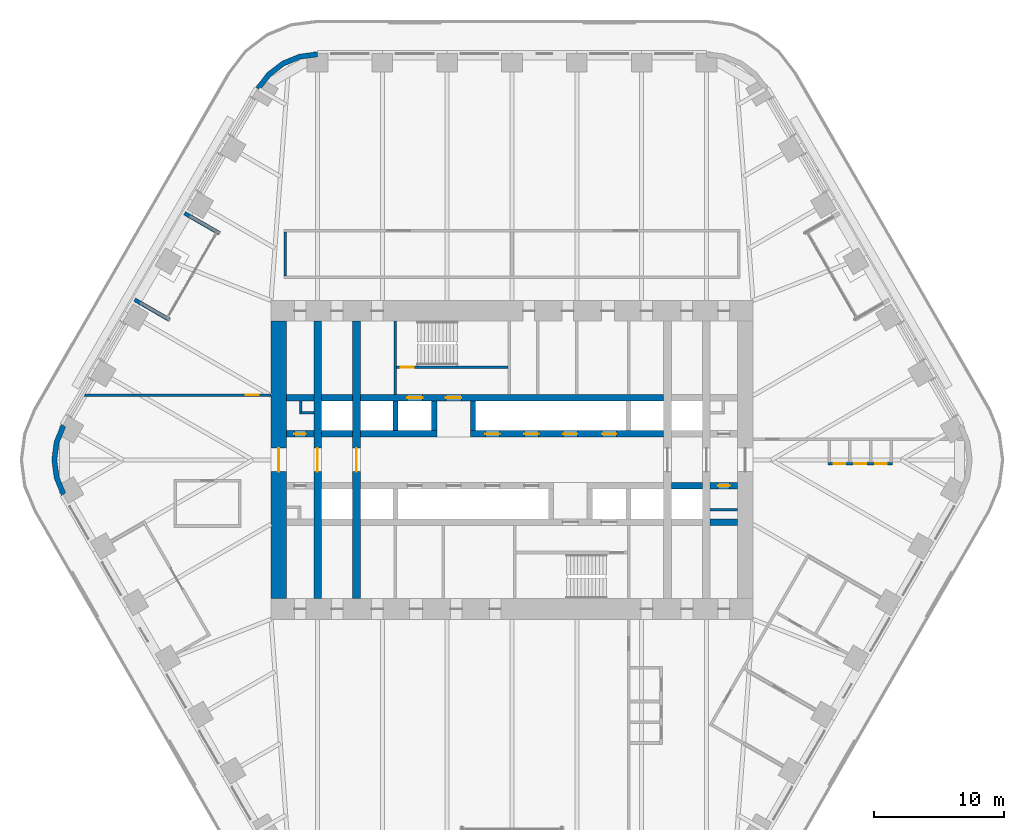
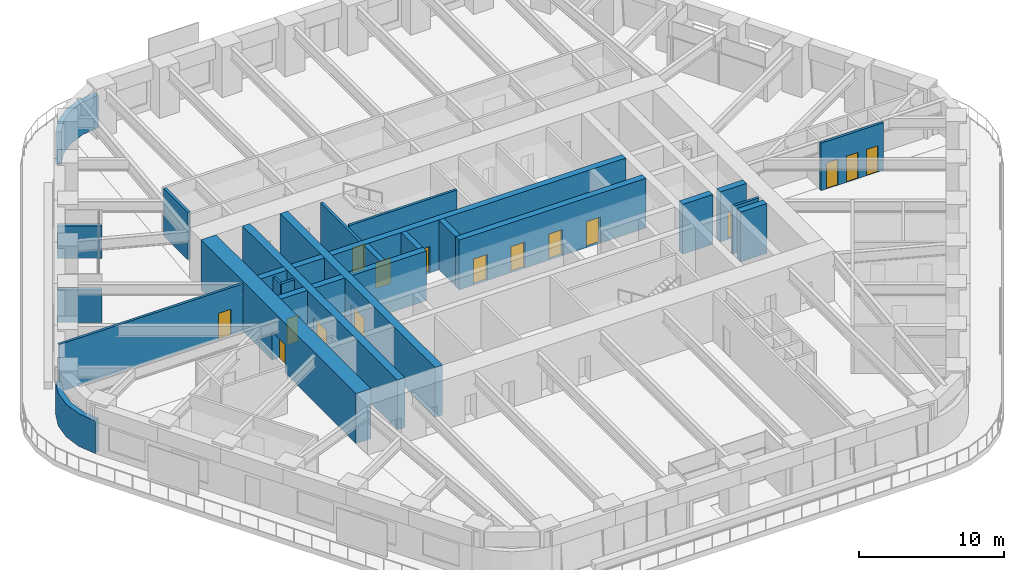
# One storey, part 19 of 24: 28 walls, 16 doors, 16 openings.
"""IFC4 building model written with IfcOpenShell, lengths in metres."""

from ifc_helpers import new_model, si_unit, direction, frame, frame_2d, origin, place, context, subcontext, project, spatial, polyline, rectangle, outline, extrude, material, layer, layer_set, type_object, element, fill, save


model = new_model("IFC4")

# Units and contexts
model_context = context("Model", 3, precision=1e-05, world=origin(), true_north=direction((0.0, 1.0)))
body_context = subcontext(model_context, "Body", "Model", "MODEL_VIEW")
ifc_project = project(units=[si_unit("LENGTHUNIT", "METRE"), si_unit("AREAUNIT", "SQUARE_METRE"), si_unit("VOLUMEUNIT", "CUBIC_METRE"), si_unit("PLANEANGLEUNIT", "RADIAN"), si_unit("MASSUNIT", "GRAM", prefix="KILO")], contexts=[model_context])

# Site, building, storey
site_placement = place(None, origin())
site = spatial("IfcSite", under=ifc_project, at=site_placement, CompositionType="ELEMENT")
building_placement = place(site_placement, origin())
building = spatial("IfcBuilding", under=site, at=building_placement, Name="Tarfa Lantern Tower", CompositionType="ELEMENT")
storey_placement = place(building_placement, frame((0.0, 0.0, 161.5)))
storey = spatial("IfcBuildingStorey", under=building, at=storey_placement, Name="L36", CompositionType="ELEMENT", Elevation=161.5)

# Walls
ifc_material_1 = material(Name="Limestone cladding on blockwork", Category="masonry")
ifc_layer_1 = layer(ifc_material_1, 0.300048828125)
ifc_layer_set_1 = layer_set([ifc_layer_1], Name="EW1 STONE-CLAD WALL 300")
wall_type_1 = type_object("IfcWallType", Name="EW1 STONE-CLAD WALL 300", PredefinedType="SOLIDWALL", material=ifc_layer_set_1)
wall_1_placement = place(storey_placement, frame((-25.266357421875, 19.037353515625, 0.0), z_axis=(0.0, 0.0, 1.0), x_axis=(0.86600983753, -0.500026960575, 0.0)))
element("IfcWall", 1, at=wall_1_placement, inside=storey, type_object=wall_type_1, Name="Loggia return NW 1", PredefinedType="SOLIDWALL", context=body_context, shape_type="SweptSolid", body=[
    extrude(rectangle(XDim=3.099853515625, YDim=0.300048828125, at=frame_2d((1.5498046875, 0.0))), origin(), (0.0, 0.0, 1.0), 2.75),
])
wall_2_placement = place(storey_placement, frame((-29.1201171875, 12.362548828125, 0.0), z_axis=(0.0, 0.0, 1.0), x_axis=(0.86602952684, -0.49999285859, 0.0)))
element("IfcWall", 2, at=wall_2_placement, inside=storey, type_object=wall_type_1, Name="Loggia return NW 2", PredefinedType="SOLIDWALL", context=body_context, shape_type="SweptSolid", body=[
    extrude(rectangle(XDim=3.10009765625, YDim=0.300048828125, at=frame_2d((1.550048828125, 0.0))), origin(), (0.0, 0.0, 1.0), 2.75),
])
ifc_layer_2 = layer(ifc_material_1, 0.39990234375)
ifc_layer_set_2 = layer_set([ifc_layer_2], Name="EW2 CURVED STONE CORNER 400")
wall_type_2 = type_object("IfcWallType", Name="EW2 CURVED STONE CORNER 400", PredefinedType="SOLIDWALL", material=ifc_layer_set_2)
wall_3_placement = place(storey_placement, origin())
element("IfcWall", 3, at=wall_3_placement, inside=storey, type_object=wall_type_2, Name="Stone corner N-NW", PredefinedType="SOLIDWALL", context=body_context, shape_type="SweptSolid", body=[
    extrude(outline(polyline([(-15.010986328125, 31.5), (-16.4345703125, 31.3125), (-17.760986328125, 30.76318359375), (-18.900146484375, 29.88916015625), (-19.774169921875, 28.75), (-19.427734375, 28.550048828125), (-18.617431640625, 29.606201171875), (-17.56103515625, 30.416748046875), (-16.3310546875, 30.92626953125), (-15.010986328125, 31.10009765625), (-15.010986328125, 31.5)])), origin(), (0.0, 0.0, 1.0), 2.75),
])
wall_4_placement = place(storey_placement, origin())
element("IfcWall", 4, at=wall_4_placement, inside=storey, type_object=wall_type_2, Name="Stone corner NW-SW", PredefinedType="SOLIDWALL", context=body_context, shape_type="SweptSolid", body=[
    extrude(outline(polyline([(-34.785400390625, 2.75), (-35.334716796875, 1.423583984375), (-35.522216796875, 0.0), (-35.334716796875, -1.423583984375), (-34.785400390625, -2.75), (-34.43896484375, -2.550048828125), (-34.948486328125, -1.320068359375), (-35.122314453125, 0.0), (-34.948486328125, 1.320068359375), (-34.43896484375, 2.550048828125), (-34.785400390625, 2.75)])), origin(), (0.0, 0.0, 1.0), 2.75),
])
ifc_material_2 = material(Name="Concrete blockwork", Category="masonry")
ifc_layer_3 = layer(ifc_material_2, 0.199951171875)
ifc_layer_set_3 = layer_set([ifc_layer_3], Name="IW1 BLOCKWORK PARTITION 200 EI 120")
wall_type_3 = type_object("IfcWallType", Name="IW1 BLOCKWORK PARTITION 200 EI 120", PredefinedType="PARTITIONING", material=ifc_layer_set_3)
wall_5_placement = place(storey_placement, frame((-9.0, 5.050048828125, 0.0), z_axis=(0.0, 0.0, 1.0), x_axis=(0.0, 1.0, 0.0)))
element("IfcWall", 5, at=wall_5_placement, inside=storey, type_object=wall_type_3, Name="Core partition", PredefinedType="PARTITIONING", context=body_context, shape_type="SweptSolid", body=[
    extrude(rectangle(XDim=5.64990234375, YDim=0.199951171875, at=frame_2d((2.824951171875, 0.0))), origin(), (0.0, 0.0, 1.0), 4.0),
])
for number, where, z_axis, x_axis, name in (
    (6, (-16.300048828125, 3.64990234375, 0.0), (0.0, 0.0, 1.0), (1.0, 0.0, 0.0), "Core partition"),
    (7, (-16.300048828125, 3.550048828125, 0.0), (0.0, 0.0, 1.0), (0.0, 1.0, 0.0), "Core partition"),
):
    element("IfcWall", number, at=place(storey_placement, frame(where, z_axis=z_axis, x_axis=x_axis)), inside=storey, type_object=wall_type_3, Name=name, PredefinedType="PARTITIONING", context=body_context, shape_type="SweptSolid", body=[
        extrude(rectangle(XDim=1.0, YDim=0.199951171875, at=frame_2d((0.5, 0.0))), origin(), (0.0, 0.0, 1.0), 4.0),
    ])
wall_6_placement = place(storey_placement, frame((17.39990234375, -3.85009765625, 0.0), z_axis=(0.0, 0.0, 1.0), x_axis=(-1.0, 0.0, 0.0)))
element("IfcWall", 8, at=wall_6_placement, inside=storey, type_object=wall_type_3, Name="Core partition", PredefinedType="PARTITIONING", context=body_context, shape_type="SweptSolid", body=[
    extrude(rectangle(XDim=2.099853515625, YDim=0.199951171875, at=frame_2d((1.0498046875, 0.0))), origin(), (0.0, 0.0, 1.0), 4.0),
])
ifc_material_3 = material(Name="Gypsum board on steel studs", Category="steel")
ifc_layer_4 = layer(ifc_material_3, 0.2099609375)
ifc_layer_set_4 = layer_set([ifc_layer_4], Name="IW2 ACOUSTIC PARTITION 200")
wall_type_4 = type_object("IfcWallType", Name="IW2 ACOUSTIC PARTITION 200", PredefinedType="PARTITIONING", material=ifc_layer_set_4)
wall_7_placement = place(storey_placement, frame((-17.5, 14.199951171875, 0.0), z_axis=(0.0, 0.0, 1.0), x_axis=(0.0, 1.0, 0.0)))
element("IfcWall", 9, at=wall_7_placement, inside=storey, type_object=wall_type_4, Name="Partition", PredefinedType="PARTITIONING", context=body_context, shape_type="SweptSolid", body=[
    extrude(rectangle(XDim=3.400146484375, YDim=0.199951171875, at=frame_2d((1.7001953125, 0.0))), origin(), (0.0, 0.0, 1.0), 4.0),
])

# Wall, opening, door
wall_8_placement = place(storey_placement, frame((-18.60009765625, 5.0, 0.0), z_axis=(0.0, 0.0, 1.0), x_axis=(-1.0, 0.0, 0.0)))
wall_8 = element("IfcWall", 10, at=wall_8_placement, inside=storey, type_object=wall_type_4, Name="Partition", PredefinedType="PARTITIONING", context=body_context, shape_type="SweptSolid", body=[
    extrude(rectangle(XDim=14.632080078125, YDim=0.199951171875, at=frame_2d((7.31591796875, 0.0))), origin(), (0.0, 0.0, 1.0), 4.0),
])
opening_1_placement = place(wall_8_placement, frame((0.963134765625, 0.0, 0.0)))
opening_1 = element("IfcOpeningElement", 11, at=opening_1_placement, cuts=wall_8, Name="Opening D49", PredefinedType="OPENING", context=body_context, shape_type="SweptSolid", body=[
    extrude(rectangle(XDim=1.0, YDim=2.199951171875, at=frame_2d((0.5, 1.10009765625))), frame((0.0, 0.10986328125, 0.0), z_axis=(0.0, -1.0, 0.0), x_axis=(1.0, 0.0, 0.0)), (0.0, 0.0, 1.0), 0.219970703125),
])
ifc_material_4 = material(Name="Timber door", Category="wood")
door_type_1 = type_object("IfcDoorType", Name="DR1 ROOM DOOR 1000x2200", OperationType="SINGLE_SWING_LEFT", PredefinedType="DOOR", material=ifc_material_4)
door_1_placement = place(opening_1_placement, origin())
door_1 = element("IfcDoor", 12, at=door_1_placement, inside=storey, type_object=door_type_1, Name="Zone door", OperationType="SINGLE_SWING_RIGHT", OverallHeight=2.199951171875, OverallWidth=1.0, PredefinedType="DOOR", context=body_context, shape_type="SweptSolid", body=[
    extrude(rectangle(XDim=1.0, YDim=2.199951171875, at=frame_2d((0.5, 1.10009765625))), frame((0.0, 0.02490234375, 0.0), z_axis=(0.0, -1.0, 0.0), x_axis=(1.0, 0.0, 0.0)), (0.0, 0.0, 1.0), 0.050048828125),
])
fill(opening_1, door_1)

# Wall, openings, doors
wall_9_placement = place(storey_placement, frame((24.3828125, -0.300048828125, 0.0), z_axis=(0.0, 0.0, 1.0), x_axis=(1.0, 0.0, 0.0)))
wall_9 = element("IfcWall", 13, at=wall_9_placement, inside=storey, type_object=wall_type_4, Name="Partition", PredefinedType="PARTITIONING", context=body_context, shape_type="SweptSolid", body=[
    extrude(rectangle(XDim=5.0, YDim=0.199951171875, at=frame_2d((2.5, 0.0))), origin(), (0.0, 0.0, 1.0), 4.0),
])
opening_2_placement = place(wall_9_placement, frame((0.449951171875, 0.0, 0.0)))
opening_2 = element("IfcOpeningElement", 14, at=opening_2_placement, cuts=wall_9, Name="Opening D44", PredefinedType="OPENING", context=body_context, shape_type="SweptSolid", body=[
    extrude(rectangle(XDim=0.89990234375, YDim=2.199951171875, at=frame_2d((0.449951171875, 1.10009765625))), frame((0.0, 0.10986328125, 0.0), z_axis=(0.0, -1.0, 0.0), x_axis=(1.0, 0.0, 0.0)), (0.0, 0.0, 1.0), 0.219970703125),
])
opening_3_placement = place(wall_9_placement, frame((2.050048828125, 0.0, 0.0)))
opening_3 = element("IfcOpeningElement", 15, at=opening_3_placement, cuts=wall_9, Name="Opening D45", PredefinedType="OPENING", context=body_context, shape_type="SweptSolid", body=[
    extrude(rectangle(XDim=0.89990234375, YDim=2.199951171875, at=frame_2d((0.449951171875, 1.10009765625))), frame((0.0, 0.10986328125, 0.0), z_axis=(0.0, -1.0, 0.0), x_axis=(1.0, 0.0, 0.0)), (0.0, 0.0, 1.0), 0.219970703125),
])
opening_4_placement = place(wall_9_placement, frame((3.64990234375, 0.0, 0.0)))
opening_4 = element("IfcOpeningElement", 16, at=opening_4_placement, cuts=wall_9, Name="Opening D46", PredefinedType="OPENING", context=body_context, shape_type="SweptSolid", body=[
    extrude(rectangle(XDim=0.89990234375, YDim=2.199951171875, at=frame_2d((0.449951171875, 1.10009765625))), frame((0.0, 0.10986328125, 0.0), z_axis=(0.0, -1.0, 0.0), x_axis=(1.0, 0.0, 0.0)), (0.0, 0.0, 1.0), 0.219970703125),
])
door_type_2 = type_object("IfcDoorType", Name="DR3 ROOM DOOR 900x2200", OperationType="SINGLE_SWING_LEFT", PredefinedType="DOOR", material=ifc_material_4)
door_2_placement = place(opening_2_placement, origin())
door_2 = element("IfcDoor", 17, at=door_2_placement, inside=storey, type_object=door_type_2, Name="Phone booth door", OperationType="SINGLE_SWING_RIGHT", OverallHeight=2.199951171875, OverallWidth=0.89990234375, PredefinedType="DOOR", context=body_context, shape_type="SweptSolid", body=[
    extrude(rectangle(XDim=0.89990234375, YDim=2.199951171875, at=frame_2d((0.449951171875, 1.10009765625))), frame((0.0, 0.02490234375, 0.0), z_axis=(0.0, -1.0, 0.0), x_axis=(1.0, 0.0, 0.0)), (0.0, 0.0, 1.0), 0.050048828125),
])
fill(opening_2, door_2)
door_3_placement = place(opening_3_placement, origin())
door_3 = element("IfcDoor", 18, at=door_3_placement, inside=storey, type_object=door_type_2, Name="Phone booth door", OperationType="SINGLE_SWING_RIGHT", OverallHeight=2.199951171875, OverallWidth=0.89990234375, PredefinedType="DOOR", context=body_context, shape_type="SweptSolid", body=[
    extrude(rectangle(XDim=0.89990234375, YDim=2.199951171875, at=frame_2d((0.449951171875, 1.10009765625))), frame((0.0, 0.02490234375, 0.0), z_axis=(0.0, -1.0, 0.0), x_axis=(1.0, 0.0, 0.0)), (0.0, 0.0, 1.0), 0.050048828125),
])
fill(opening_3, door_3)
door_4_placement = place(opening_4_placement, origin())
door_4 = element("IfcDoor", 19, at=door_4_placement, inside=storey, type_object=door_type_2, Name="Phone booth door", OperationType="SINGLE_SWING_LEFT", OverallHeight=2.199951171875, OverallWidth=0.89990234375, PredefinedType="DOOR", context=body_context, shape_type="SweptSolid", body=[
    extrude(rectangle(XDim=0.89990234375, YDim=2.199951171875, at=frame_2d((0.449951171875, 1.10009765625))), frame((0.0, 0.02490234375, 0.0), z_axis=(0.0, -1.0, 0.0), x_axis=(1.0, 0.0, 0.0)), (0.0, 0.0, 1.0), 0.050048828125),
])
fill(opening_4, door_4)

# Wall, opening, door
ifc_material_5 = material(Name="Concrete C80/95", Category="concrete")
ifc_layer_5 = layer(ifc_material_5, 1.199951171875)
ifc_layer_set_5 = layer_set([ifc_layer_5], Name="SW1 CORE WALL 1200")
wall_type_5 = type_object("IfcWallType", Name="SW1 CORE WALL 1200", PredefinedType="SHEAR", material=ifc_layer_set_5)
wall_10_placement = place(storey_placement, frame((-18.0, 10.699951171875, 0.0), z_axis=(0.0, 0.0, 1.0), x_axis=(0.0, -1.0, 0.0)))
wall_10 = element("IfcWall", 20, at=wall_10_placement, inside=storey, type_object=wall_type_5, Name="Core wall W", PredefinedType="SHEAR", context=body_context, shape_type="SweptSolid", body=[
    extrude(rectangle(XDim=21.39990234375, YDim=1.199951171875, at=frame_2d((10.699951171875, 0.0))), origin(), (0.0, 0.0, 1.0), 4.199951171875),
])
opening_5_placement = place(wall_10_placement, frame((9.800048828125, 0.0, 0.0)))
opening_5 = element("IfcOpeningElement", 21, at=opening_5_placement, cuts=wall_10, Name="Opening D16", PredefinedType="OPENING", context=body_context, shape_type="SweptSolid", body=[
    extrude(rectangle(XDim=1.800048828125, YDim=2.39990234375, at=frame_2d((0.89990234375, 1.199951171875))), frame((0.0, 0.60986328125, 0.0), z_axis=(0.0, -1.0, 0.0), x_axis=(1.0, 0.0, 0.0)), (0.0, 0.0, 1.0), 1.219970703125),
])
ifc_material_6 = material(Name="Steel fire door", Category="steel")
door_type_3 = type_object("IfcDoorType", Name="DL1 LOBBY DOOR 1800x2400", OperationType="DOUBLE_DOOR_SINGLE_SWING", PredefinedType="DOOR", material=ifc_material_6)
door_5_placement = place(opening_5_placement, frame((1.800048828125, 0.0, 0.0), z_axis=(0.0, 0.0, 1.0), x_axis=(-1.0, 0.0, 0.0)))
door_5 = element("IfcDoor", 22, at=door_5_placement, inside=storey, type_object=door_type_3, Name="Lift lobby door", OperationType="DOUBLE_DOOR_SINGLE_SWING", OverallHeight=2.39990234375, OverallWidth=1.800048828125, PredefinedType="DOOR", context=body_context, shape_type="SweptSolid", body=[
    extrude(rectangle(XDim=1.800048828125, YDim=2.39990234375, at=frame_2d((0.89990234375, 1.199951171875))), frame((0.0, 0.02490234375, 0.0), z_axis=(0.0, -1.0, 0.0), x_axis=(1.0, 0.0, 0.0)), (0.0, 0.0, 1.0), 0.050048828125),
])
fill(opening_5, door_5)

ifc_layer_6 = layer(ifc_material_5, 0.199951171875)
ifc_layer_set_6 = layer_set([ifc_layer_6], Name="SW12 CORE WALL 200")
wall_type_6 = type_object("IfcWallType", Name="SW12 CORE WALL 200", PredefinedType="SHEAR", material=ifc_layer_set_6)
wall_11_placement = place(storey_placement, frame((-8.89990234375, 7.14990234375, 0.0), z_axis=(0.0, 0.0, 1.0), x_axis=(1.0, 0.0, 0.0)))
wall_11 = element("IfcWall", 23, at=wall_11_placement, inside=storey, type_object=wall_type_6, Name="Core wall stair partition N", PredefinedType="SHEAR", context=body_context, shape_type="SweptSolid", body=[
    extrude(rectangle(XDim=8.599853515625, YDim=0.199951171875, at=frame_2d((4.2998046875, 0.0))), origin(), (0.0, 0.0, 1.0), 4.199951171875),
])
opening_6_placement = place(wall_11_placement, frame((0.300048828125, 0.0, 0.0)))
opening_6 = element("IfcOpeningElement", 24, at=opening_6_placement, cuts=wall_11, Name="Opening D27", PredefinedType="OPENING", context=body_context, shape_type="SweptSolid", body=[
    extrude(rectangle(XDim=1.0, YDim=2.199951171875, at=frame_2d((0.5, 1.10009765625))), frame((0.0, 0.10986328125, 0.0), z_axis=(0.0, -1.0, 0.0), x_axis=(1.0, 0.0, 0.0)), (0.0, 0.0, 1.0), 0.219970703125),
])
door_type_4 = type_object("IfcDoorType", Name="DF2 STAIR DOOR 1000x2200", OperationType="SINGLE_SWING_LEFT", PredefinedType="DOOR", material=ifc_material_6)
door_6_placement = place(opening_6_placement, origin())
door_6 = element("IfcDoor", 25, at=door_6_placement, inside=storey, type_object=door_type_4, Name="Stair door", OperationType="SINGLE_SWING_RIGHT", OverallHeight=2.199951171875, OverallWidth=1.0, PredefinedType="DOOR", context=body_context, shape_type="SweptSolid", body=[
    extrude(rectangle(XDim=1.0, YDim=2.199951171875, at=frame_2d((0.5, 1.10009765625))), frame((0.0, 0.02490234375, 0.0), z_axis=(0.0, -1.0, 0.0), x_axis=(1.0, 0.0, 0.0)), (0.0, 0.0, 1.0), 0.050048828125),
])
fill(opening_6, door_6)

ifc_layer_7 = layer(ifc_material_5, 0.5)
ifc_layer_set_7 = layer_set([ifc_layer_7], Name="SW5 CORE WALL 500")
wall_type_7 = type_object("IfcWallType", Name="SW5 CORE WALL 500", PredefinedType="SHEAR", material=ifc_layer_set_7)
wall_12_placement = place(storey_placement, frame((-17.39990234375, 2.0, 0.0), z_axis=(0.0, 0.0, 1.0), x_axis=(1.0, 0.0, 0.0)))
wall_12 = element("IfcWall", 26, at=wall_12_placement, inside=storey, type_object=wall_type_7, Name="Core wall lobby west N", PredefinedType="SHEAR", context=body_context, shape_type="SweptSolid", body=[
    extrude(rectangle(XDim=2.099853515625, YDim=0.5, at=frame_2d((1.0498046875, 0.0))), origin(), (0.0, 0.0, 1.0), 4.199951171875),
])
opening_7_placement = place(wall_12_placement, frame((0.60009765625, 0.0, 0.0)))
opening_7 = element("IfcOpeningElement", 27, at=opening_7_placement, cuts=wall_12, Name="Opening D19", PredefinedType="OPENING", context=body_context, shape_type="SweptSolid", body=[
    extrude(rectangle(XDim=0.89990234375, YDim=2.199951171875, at=frame_2d((0.449951171875, 1.10009765625))), frame((0.0, 0.260009765625, 0.0), z_axis=(0.0, -1.0, 0.0), x_axis=(1.0, 0.0, 0.0)), (0.0, 0.0, 1.0), 0.52001953125),
])
door_type_5 = type_object("IfcDoorType", Name="DF6 SERVICE ROOM DOOR 900x2200", OperationType="SINGLE_SWING_LEFT", PredefinedType="DOOR", material=ifc_material_6)
door_7_placement = place(opening_7_placement, origin())
door_7 = element("IfcDoor", 28, at=door_7_placement, inside=storey, type_object=door_type_5, Name="Service room door", OperationType="SINGLE_SWING_LEFT", OverallHeight=2.199951171875, OverallWidth=0.89990234375, PredefinedType="DOOR", context=body_context, shape_type="SweptSolid", body=[
    extrude(rectangle(XDim=0.89990234375, YDim=2.199951171875, at=frame_2d((0.449951171875, 1.10009765625))), frame((0.0, 0.02490234375, 0.0), z_axis=(0.0, -1.0, 0.0), x_axis=(1.0, 0.0, 0.0)), (0.0, 0.0, 1.0), 0.050048828125),
])
fill(opening_7, door_7)

# Walls
wall_13_placement = place(storey_placement, frame((-14.699951171875, 2.0, 0.0), z_axis=(0.0, 0.0, 1.0), x_axis=(1.0, 0.0, 0.0)))
element("IfcWall", 29, at=wall_13_placement, inside=storey, type_object=wall_type_7, Name="Core wall lobby west N", PredefinedType="SHEAR", context=body_context, shape_type="SweptSolid", body=[
    extrude(rectangle(XDim=2.39990234375, YDim=0.5, at=frame_2d((1.199951171875, 0.0))), origin(), (0.0, 0.0, 1.0), 4.199951171875),
])
wall_14_placement = place(storey_placement, frame((-11.699951171875, 2.0, 0.0), z_axis=(0.0, 0.0, 1.0), x_axis=(1.0, 0.0, 0.0)))
element("IfcWall", 30, at=wall_14_placement, inside=storey, type_object=wall_type_7, Name="Core wall lobby west N", PredefinedType="SHEAR", context=body_context, shape_type="SweptSolid", body=[
    extrude(rectangle(XDim=5.89990234375, YDim=0.5, at=frame_2d((2.949951171875, 0.0))), origin(), (0.0, 0.0, 1.0), 4.199951171875),
])

# Wall, openings, doors
wall_15_placement = place(storey_placement, frame((-3.199951171875, 2.0, 0.0), z_axis=(0.0, 0.0, 1.0), x_axis=(1.0, 0.0, 0.0)))
wall_15 = element("IfcWall", 31, at=wall_15_placement, inside=storey, type_object=wall_type_7, Name="Core wall lobby east N", PredefinedType="SHEAR", context=body_context, shape_type="SweptSolid", body=[
    extrude(rectangle(XDim=14.89990234375, YDim=0.5, at=frame_2d((7.449951171875, 0.0))), origin(), (0.0, 0.0, 1.0), 4.199951171875),
])
opening_8_placement = place(wall_15_placement, frame((1.14990234375, 0.0, 0.0)))
opening_8 = element("IfcOpeningElement", 32, at=opening_8_placement, cuts=wall_15, Name="Opening LD03", PredefinedType="OPENING", context=body_context, shape_type="SweptSolid", body=[
    extrude(rectangle(XDim=1.10009765625, YDim=2.199951171875, at=frame_2d((0.550048828125, 1.10009765625))), frame((0.0, 0.260009765625, 0.0), z_axis=(0.0, -1.0, 0.0), x_axis=(1.0, 0.0, 0.0)), (0.0, 0.0, 1.0), 0.52001953125),
])
opening_9_placement = place(wall_15_placement, frame((4.14990234375, 0.0, 0.0)))
opening_9 = element("IfcOpeningElement", 33, at=opening_9_placement, cuts=wall_15, Name="Opening LD04", PredefinedType="OPENING", context=body_context, shape_type="SweptSolid", body=[
    extrude(rectangle(XDim=1.10009765625, YDim=2.199951171875, at=frame_2d((0.550048828125, 1.10009765625))), frame((0.0, 0.260009765625, 0.0), z_axis=(0.0, -1.0, 0.0), x_axis=(1.0, 0.0, 0.0)), (0.0, 0.0, 1.0), 0.52001953125),
])
opening_10_placement = place(wall_15_placement, frame((7.14990234375, 0.0, 0.0)))
opening_10 = element("IfcOpeningElement", 34, at=opening_10_placement, cuts=wall_15, Name="Opening LD05", PredefinedType="OPENING", context=body_context, shape_type="SweptSolid", body=[
    extrude(rectangle(XDim=1.10009765625, YDim=2.199951171875, at=frame_2d((0.550048828125, 1.10009765625))), frame((0.0, 0.260009765625, 0.0), z_axis=(0.0, -1.0, 0.0), x_axis=(1.0, 0.0, 0.0)), (0.0, 0.0, 1.0), 0.52001953125),
])
opening_11_placement = place(wall_15_placement, frame((10.14990234375, 0.0, 0.0)))
opening_11 = element("IfcOpeningElement", 35, at=opening_11_placement, cuts=wall_15, Name="Opening LD06", PredefinedType="OPENING", context=body_context, shape_type="SweptSolid", body=[
    extrude(rectangle(XDim=1.10009765625, YDim=2.199951171875, at=frame_2d((0.550048828125, 1.10009765625))), frame((0.0, 0.260009765625, 0.0), z_axis=(0.0, -1.0, 0.0), x_axis=(1.0, 0.0, 0.0)), (0.0, 0.0, 1.0), 0.52001953125),
])
ifc_material_7 = material(Name="Stainless steel lift door", Category="steel")
door_type_6 = type_object("IfcDoorType", Name="LD2 LIFT LANDING DOOR 1100x2200", OperationType="SLIDING_TO_LEFT", PredefinedType="DOOR", material=ifc_material_7)
door_8_placement = place(opening_8_placement, frame((1.10009765625, 0.0, 0.0), z_axis=(0.0, 0.0, 1.0), x_axis=(-1.0, 0.0, 0.0)))
door_8 = element("IfcDoor", 36, at=door_8_placement, inside=storey, type_object=door_type_6, Name="Landing door PB1", OperationType="SLIDING_TO_LEFT", OverallHeight=2.199951171875, OverallWidth=1.10009765625, PredefinedType="DOOR", context=body_context, shape_type="SweptSolid", body=[
    extrude(rectangle(XDim=1.10009765625, YDim=2.199951171875, at=frame_2d((0.550048828125, 1.10009765625))), frame((0.0, 0.02490234375, 0.0), z_axis=(0.0, -1.0, 0.0), x_axis=(1.0, 0.0, 0.0)), (0.0, 0.0, 1.0), 0.050048828125),
])
fill(opening_8, door_8)
door_9_placement = place(opening_9_placement, frame((1.10009765625, 0.0, 0.0), z_axis=(0.0, 0.0, 1.0), x_axis=(-1.0, 0.0, 0.0)))
door_9 = element("IfcDoor", 37, at=door_9_placement, inside=storey, type_object=door_type_6, Name="Landing door PB2", OperationType="SLIDING_TO_LEFT", OverallHeight=2.199951171875, OverallWidth=1.10009765625, PredefinedType="DOOR", context=body_context, shape_type="SweptSolid", body=[
    extrude(rectangle(XDim=1.10009765625, YDim=2.199951171875, at=frame_2d((0.550048828125, 1.10009765625))), frame((0.0, 0.02490234375, 0.0), z_axis=(0.0, -1.0, 0.0), x_axis=(1.0, 0.0, 0.0)), (0.0, 0.0, 1.0), 0.050048828125),
])
fill(opening_9, door_9)
door_10_placement = place(opening_10_placement, frame((1.10009765625, 0.0, 0.0), z_axis=(0.0, 0.0, 1.0), x_axis=(-1.0, 0.0, 0.0)))
door_10 = element("IfcDoor", 38, at=door_10_placement, inside=storey, type_object=door_type_6, Name="Landing door PB3", OperationType="SLIDING_TO_LEFT", OverallHeight=2.199951171875, OverallWidth=1.10009765625, PredefinedType="DOOR", context=body_context, shape_type="SweptSolid", body=[
    extrude(rectangle(XDim=1.10009765625, YDim=2.199951171875, at=frame_2d((0.550048828125, 1.10009765625))), frame((0.0, 0.02490234375, 0.0), z_axis=(0.0, -1.0, 0.0), x_axis=(1.0, 0.0, 0.0)), (0.0, 0.0, 1.0), 0.050048828125),
])
fill(opening_10, door_10)
door_11_placement = place(opening_11_placement, frame((1.10009765625, 0.0, 0.0), z_axis=(0.0, 0.0, 1.0), x_axis=(-1.0, 0.0, 0.0)))
door_11 = element("IfcDoor", 39, at=door_11_placement, inside=storey, type_object=door_type_6, Name="Landing door PB4", OperationType="SLIDING_TO_LEFT", OverallHeight=2.199951171875, OverallWidth=1.10009765625, PredefinedType="DOOR", context=body_context, shape_type="SweptSolid", body=[
    extrude(rectangle(XDim=1.10009765625, YDim=2.199951171875, at=frame_2d((0.550048828125, 1.10009765625))), frame((0.0, 0.02490234375, 0.0), z_axis=(0.0, -1.0, 0.0), x_axis=(1.0, 0.0, 0.0)), (0.0, 0.0, 1.0), 0.050048828125),
])
fill(opening_11, door_11)

# Walls
wall_16_placement = place(storey_placement, frame((-17.39990234375, 4.800048828125, 0.0), z_axis=(0.0, 0.0, 1.0), x_axis=(1.0, 0.0, 0.0)))
element("IfcWall", 40, at=wall_16_placement, inside=storey, type_object=wall_type_7, Name="Core wall rear N", PredefinedType="SHEAR", context=body_context, shape_type="SweptSolid", body=[
    extrude(rectangle(XDim=2.099853515625, YDim=0.5, at=frame_2d((1.0498046875, 0.0))), origin(), (0.0, 0.0, 1.0), 4.199951171875),
])
wall_17_placement = place(storey_placement, frame((-14.699951171875, 4.800048828125, 0.0), z_axis=(0.0, 0.0, 1.0), x_axis=(1.0, 0.0, 0.0)))
element("IfcWall", 41, at=wall_17_placement, inside=storey, type_object=wall_type_7, Name="Core wall rear N", PredefinedType="SHEAR", context=body_context, shape_type="SweptSolid", body=[
    extrude(rectangle(XDim=2.39990234375, YDim=0.5, at=frame_2d((1.199951171875, 0.0))), origin(), (0.0, 0.0, 1.0), 4.199951171875),
])

# Wall, openings, doors
wall_18_placement = place(storey_placement, frame((-11.699951171875, 4.800048828125, 0.0), z_axis=(0.0, 0.0, 1.0), x_axis=(1.0, 0.0, 0.0)))
wall_18 = element("IfcWall", 42, at=wall_18_placement, inside=storey, type_object=wall_type_7, Name="Core wall rear N", PredefinedType="SHEAR", context=body_context, shape_type="SweptSolid", body=[
    extrude(rectangle(XDim=23.39990234375, YDim=0.5, at=frame_2d((11.699951171875, 0.0))), origin(), (0.0, 0.0, 1.0), 4.199951171875),
])
opening_12_placement = place(wall_18_placement, frame((6.60009765625, 0.0, 0.0)))
opening_12 = element("IfcOpeningElement", 43, at=opening_12_placement, cuts=wall_18, Name="Opening D13", PredefinedType="OPENING", context=body_context, shape_type="SweptSolid", body=[
    extrude(rectangle(XDim=1.199951171875, YDim=2.199951171875, at=frame_2d((0.60009765625, 1.10009765625))), frame((0.0, 0.260009765625, 0.0), z_axis=(0.0, -1.0, 0.0), x_axis=(1.0, 0.0, 0.0)), (0.0, 0.0, 1.0), 0.52001953125),
])
opening_13_placement = place(wall_18_placement, frame((3.60009765625, 0.0, 0.0)))
opening_13 = element("IfcOpeningElement", 44, at=opening_13_placement, cuts=wall_18, Name="Opening LD01", PredefinedType="OPENING", context=body_context, shape_type="SweptSolid", body=[
    extrude(rectangle(XDim=1.199951171875, YDim=2.199951171875, at=frame_2d((0.60009765625, 1.10009765625))), frame((0.0, 0.260009765625, 0.0), z_axis=(0.0, -1.0, 0.0), x_axis=(1.0, 0.0, 0.0)), (0.0, 0.0, 1.0), 0.52001953125),
])
door_type_7 = type_object("IfcDoorType", Name="DF1 FIREFIGHTING LOBBY DOOR 1200x2200", OperationType="SINGLE_SWING_LEFT", PredefinedType="DOOR", material=ifc_material_6)
door_12_placement = place(opening_12_placement, origin())
door_12 = element("IfcDoor", 45, at=door_12_placement, inside=storey, type_object=door_type_7, Name="Firefighting lobby door", OperationType="SINGLE_SWING_LEFT", OverallHeight=2.199951171875, OverallWidth=1.199951171875, PredefinedType="DOOR", context=body_context, shape_type="SweptSolid", body=[
    extrude(rectangle(XDim=1.199951171875, YDim=2.199951171875, at=frame_2d((0.60009765625, 1.10009765625))), frame((0.0, 0.02490234375, 0.0), z_axis=(0.0, -1.0, 0.0), x_axis=(1.0, 0.0, 0.0)), (0.0, 0.0, 1.0), 0.050048828125),
])
fill(opening_12, door_12)
door_type_8 = type_object("IfcDoorType", Name="LD1 LIFT LANDING DOOR 1200x2200", OperationType="SLIDING_TO_LEFT", PredefinedType="DOOR", material=ifc_material_7)
door_13_placement = place(opening_13_placement, origin())
door_13 = element("IfcDoor", 46, at=door_13_placement, inside=storey, type_object=door_type_8, Name="Landing door FL1", OperationType="SLIDING_TO_LEFT", OverallHeight=2.199951171875, OverallWidth=1.199951171875, PredefinedType="DOOR", context=body_context, shape_type="SweptSolid", body=[
    extrude(rectangle(XDim=1.199951171875, YDim=2.199951171875, at=frame_2d((0.60009765625, 1.10009765625))), frame((0.0, 0.02490234375, 0.0), z_axis=(0.0, -1.0, 0.0), x_axis=(1.0, 0.0, 0.0)), (0.0, 0.0, 1.0), 0.050048828125),
])
fill(opening_13, door_13)

# Wall, opening, door
wall_19_placement = place(storey_placement, frame((17.39990234375, -2.0, 0.0), z_axis=(0.0, 0.0, 1.0), x_axis=(-1.0, 0.0, 0.0)))
wall_19 = element("IfcWall", 47, at=wall_19_placement, inside=storey, type_object=wall_type_7, Name="Core wall lobby west S", PredefinedType="SHEAR", context=body_context, shape_type="SweptSolid", body=[
    extrude(rectangle(XDim=2.099853515625, YDim=0.5, at=frame_2d((1.0498046875, 0.0))), origin(), (0.0, 0.0, 1.0), 4.199951171875),
])
opening_14_placement = place(wall_19_placement, frame((0.60009765625, 0.0, 0.0)))
opening_14 = element("IfcOpeningElement", 48, at=opening_14_placement, cuts=wall_19, Name="Opening D20", PredefinedType="OPENING", context=body_context, shape_type="SweptSolid", body=[
    extrude(rectangle(XDim=0.89990234375, YDim=2.199951171875, at=frame_2d((0.449951171875, 1.10009765625))), frame((0.0, 0.260009765625, 0.0), z_axis=(0.0, -1.0, 0.0), x_axis=(1.0, 0.0, 0.0)), (0.0, 0.0, 1.0), 0.52001953125),
])
door_14_placement = place(opening_14_placement, origin())
door_14 = element("IfcDoor", 49, at=door_14_placement, inside=storey, type_object=door_type_5, Name="Service room door", OperationType="SINGLE_SWING_LEFT", OverallHeight=2.199951171875, OverallWidth=0.89990234375, PredefinedType="DOOR", context=body_context, shape_type="SweptSolid", body=[
    extrude(rectangle(XDim=0.89990234375, YDim=2.199951171875, at=frame_2d((0.449951171875, 1.10009765625))), frame((0.0, 0.02490234375, 0.0), z_axis=(0.0, -1.0, 0.0), x_axis=(1.0, 0.0, 0.0)), (0.0, 0.0, 1.0), 0.050048828125),
])
fill(opening_14, door_14)

# Walls
wall_20_placement = place(storey_placement, frame((14.699951171875, -2.0, 0.0), z_axis=(0.0, 0.0, 1.0), x_axis=(-1.0, 0.0, 0.0)))
element("IfcWall", 50, at=wall_20_placement, inside=storey, type_object=wall_type_7, Name="Core wall lobby west S", PredefinedType="SHEAR", context=body_context, shape_type="SweptSolid", body=[
    extrude(rectangle(XDim=2.39990234375, YDim=0.5, at=frame_2d((1.199951171875, 0.0))), origin(), (0.0, 0.0, 1.0), 4.199951171875),
])
wall_21_placement = place(storey_placement, frame((17.39990234375, -4.800048828125, 0.0), z_axis=(0.0, 0.0, 1.0), x_axis=(-1.0, 0.0, 0.0)))
element("IfcWall", 51, at=wall_21_placement, inside=storey, type_object=wall_type_7, Name="Core wall rear S", PredefinedType="SHEAR", context=body_context, shape_type="SweptSolid", body=[
    extrude(rectangle(XDim=2.099853515625, YDim=0.5, at=frame_2d((1.0498046875, 0.0))), origin(), (0.0, 0.0, 1.0), 4.199951171875),
])
ifc_layer_8 = layer(ifc_material_5, 0.39990234375)
ifc_layer_set_8 = layer_set([ifc_layer_8], Name="SW6 CORE WALL 400")
wall_type_8 = type_object("IfcWallType", Name="SW6 CORE WALL 400", PredefinedType="SHEAR", material=ifc_layer_set_8)
for number, where, z_axis, x_axis, name in (
    (52, (-9.0, 2.25, 0.0), (0.0, 0.0, 1.0), (0.0, 1.0, 0.0), "Core wall divider N"),
    (53, (-6.0, 2.25, 0.0), (0.0, 0.0, 1.0), (0.0, 1.0, 0.0), "Core wall divider N"),
    (54, (-3.0, 2.25, 0.0), (0.0, 0.0, 1.0), (0.0, 1.0, 0.0), "Core wall divider N"),
):
    element("IfcWall", number, at=place(storey_placement, frame(where, z_axis=z_axis, x_axis=x_axis)), inside=storey, type_object=wall_type_8, Name=name, PredefinedType="SHEAR", context=body_context, shape_type="SweptSolid", body=[
        extrude(rectangle(XDim=2.300048828125, YDim=0.39990234375, at=frame_2d((1.14990234375, 0.0))), origin(), (0.0, 0.0, 1.0), 4.199951171875),
    ])

# Wall, opening, door
ifc_layer_9 = layer(ifc_material_5, 0.60009765625)
ifc_layer_set_9 = layer_set([ifc_layer_9], Name="SW9 CORE WALL 600")
wall_type_9 = type_object("IfcWallType", Name="SW9 CORE WALL 600", PredefinedType="SHEAR", material=ifc_layer_set_9)
wall_22_placement = place(storey_placement, frame((-12.0, -10.699951171875, 0.0), z_axis=(0.0, 0.0, 1.0), x_axis=(0.0, 1.0, 0.0)))
wall_22 = element("IfcWall", 55, at=wall_22_placement, inside=storey, type_object=wall_type_9, Name="Core wall cross 12 m west", PredefinedType="SHEAR", context=body_context, shape_type="SweptSolid", body=[
    extrude(rectangle(XDim=21.39990234375, YDim=0.60009765625, at=frame_2d((10.699951171875, 0.0))), origin(), (0.0, 0.0, 1.0), 4.199951171875),
])
opening_15_placement = place(wall_22_placement, frame((9.800048828125, 0.0, 0.0)))
opening_15 = element("IfcOpeningElement", 56, at=opening_15_placement, cuts=wall_22, Name="Opening D31", PredefinedType="OPENING", context=body_context, shape_type="SweptSolid", body=[
    extrude(rectangle(XDim=1.800048828125, YDim=2.39990234375, at=frame_2d((0.89990234375, 1.199951171875))), frame((0.0, 0.31005859375, 0.0), z_axis=(0.0, -1.0, 0.0), x_axis=(1.0, 0.0, 0.0)), (0.0, 0.0, 1.0), 0.6201171875),
])
door_15_placement = place(opening_15_placement, origin())
door_15 = element("IfcDoor", 57, at=door_15_placement, inside=storey, type_object=door_type_3, Name="Lift lobby door", OperationType="DOUBLE_DOOR_SINGLE_SWING", OverallHeight=2.39990234375, OverallWidth=1.800048828125, PredefinedType="DOOR", context=body_context, shape_type="SweptSolid", body=[
    extrude(rectangle(XDim=1.800048828125, YDim=2.39990234375, at=frame_2d((0.89990234375, 1.199951171875))), frame((0.0, 0.02490234375, 0.0), z_axis=(0.0, -1.0, 0.0), x_axis=(1.0, 0.0, 0.0)), (0.0, 0.0, 1.0), 0.050048828125),
])
fill(opening_15, door_15)

wall_23_placement = place(storey_placement, frame((-15.0, -10.699951171875, 0.0), z_axis=(0.0, 0.0, 1.0), x_axis=(0.0, 1.0, 0.0)))
wall_23 = element("IfcWall", 58, at=wall_23_placement, inside=storey, type_object=wall_type_9, Name="Core wall cross 15 m west", PredefinedType="SHEAR", context=body_context, shape_type="SweptSolid", body=[
    extrude(rectangle(XDim=21.39990234375, YDim=0.60009765625, at=frame_2d((10.699951171875, 0.0))), origin(), (0.0, 0.0, 1.0), 4.199951171875),
])
opening_16_placement = place(wall_23_placement, frame((9.800048828125, 0.0, 0.0)))
opening_16 = element("IfcOpeningElement", 59, at=opening_16_placement, cuts=wall_23, Name="Opening D32", PredefinedType="OPENING", context=body_context, shape_type="SweptSolid", body=[
    extrude(rectangle(XDim=1.800048828125, YDim=2.39990234375, at=frame_2d((0.89990234375, 1.199951171875))), frame((0.0, 0.31005859375, 0.0), z_axis=(0.0, -1.0, 0.0), x_axis=(1.0, 0.0, 0.0)), (0.0, 0.0, 1.0), 0.6201171875),
])
door_16_placement = place(opening_16_placement, origin())
door_16 = element("IfcDoor", 60, at=door_16_placement, inside=storey, type_object=door_type_3, Name="Lift lobby door", OperationType="DOUBLE_DOOR_SINGLE_SWING", OverallHeight=2.39990234375, OverallWidth=1.800048828125, PredefinedType="DOOR", context=body_context, shape_type="SweptSolid", body=[
    extrude(rectangle(XDim=1.800048828125, YDim=2.39990234375, at=frame_2d((0.89990234375, 1.199951171875))), frame((0.0, 0.02490234375, 0.0), z_axis=(0.0, -1.0, 0.0), x_axis=(1.0, 0.0, 0.0)), (0.0, 0.0, 1.0), 0.050048828125),
])
fill(opening_16, door_16)

save(model, "model.ifc")
